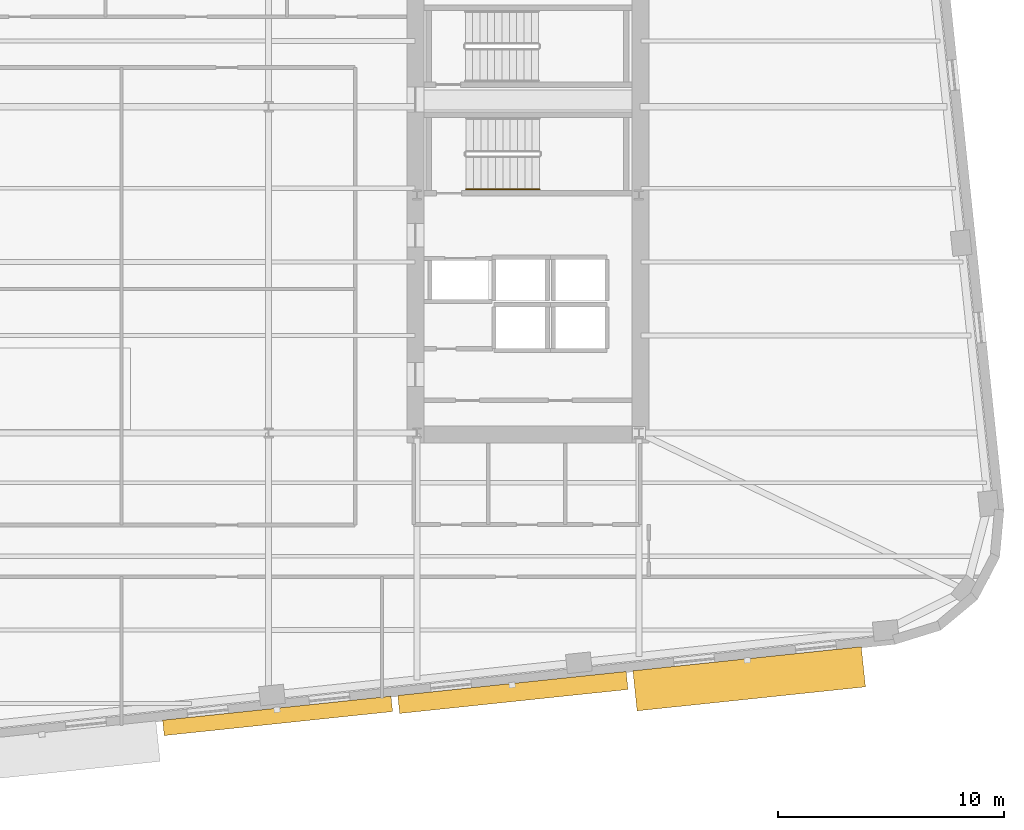
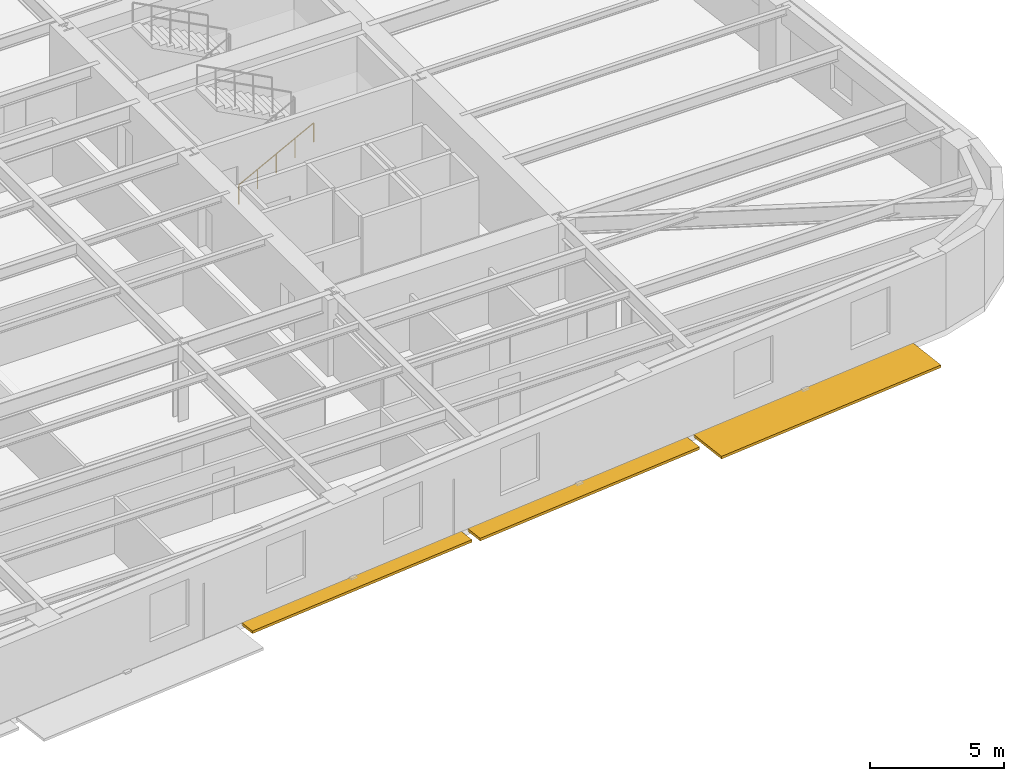
# One storey, part 9 of 11: 3 shading devices, 1 railing.
"""IFC4 building model written with IfcOpenShell, lengths in metres."""

from ifc_helpers import new_model, si_unit, direction, frame, origin, origin_2d, place, context, subcontext, project, spatial, rectangle, circle, extrude, material, type_object, element, save


model = new_model("IFC4")

# Units and contexts
model_context = context("Model", 3, precision=1e-05, world=origin(), true_north=direction((0.0, 1.0)))
body_context = subcontext(model_context, "Body", "Model", "MODEL_VIEW")
ifc_project = project(units=[si_unit("LENGTHUNIT", "METRE"), si_unit("AREAUNIT", "SQUARE_METRE"), si_unit("VOLUMEUNIT", "CUBIC_METRE"), si_unit("PLANEANGLEUNIT", "RADIAN"), si_unit("MASSUNIT", "GRAM", prefix="KILO")], contexts=[model_context])

# Site, building, storey
site_placement = place(None, origin())
site = spatial("IfcSite", under=ifc_project, at=site_placement, CompositionType="ELEMENT")
building_placement = place(site_placement, origin())
building = spatial("IfcBuilding", under=site, at=building_placement, Name="Kolvaren Arena Tower", CompositionType="ELEMENT")
storey_placement = place(building_placement, frame((0.0, 0.0, 134.5)))
storey = spatial("IfcBuildingStorey", under=building, at=storey_placement, Name="L31", CompositionType="ELEMENT", Elevation=134.5)

# Railing
ifc_material_1 = material(Name="Brushed stainless steel handrail", Category="steel")
railing_type = type_object("IfcRailingType", Name="HRAIL-900", PredefinedType="HANDRAIL", material=ifc_material_1)
railing_placement = place(storey_placement, frame((52.719970703125, 30.199951171875, 0.17041015625)))
element("IfcRailing", 1, at=railing_placement, inside=storey, type_object=railing_type, Name="L31 ST-E1 stair handrail 1", PredefinedType="HANDRAIL", context=body_context, shape_type="SweptSolid", body=[
    extrude(circle(Radius=0.02392578125, at=origin_2d()), frame((0.0, 0.0, 0.8759765625), z_axis=(0.884993431791, 0.0, 0.465603506952), x_axis=(0.0, 1.0, 0.0)), (0.0, 0.0, 1.0), 3.6611328125),
    extrude(circle(Radius=0.02099609375, at=origin_2d()), origin(), (0.0, 0.0, 1.0), 0.851806640625),
    extrude(circle(Radius=0.02099609375, at=origin_2d()), frame((0.81005859375, 0.0, 0.42626953125)), (0.0, 0.0, 1.0), 0.851806640625),
    extrude(circle(Radius=0.02099609375, at=origin_2d()), frame((1.6201171875, 0.0, 0.852294921875)), (0.0, 0.0, 1.0), 0.851806640625),
    extrude(circle(Radius=0.02099609375, at=origin_2d()), frame((2.429931640625, 0.0, 1.2783203125)), (0.0, 0.0, 1.0), 0.851806640625),
    extrude(circle(Radius=0.02099609375, at=origin_2d()), frame((3.239990234375, 0.0, 1.70458984375)), (0.0, 0.0, 1.0), 0.851806640625),
])

# Shading devices
ifc_material_2 = material(Name="Architectural precast GFRC and anodised aluminium sunshade", Category="concrete")
shading_device_type_1 = type_object("IfcShadingDeviceType", Name="SHAD-SINE-A", PredefinedType="USERDEFINED", material=ifc_material_2)
shading_device_1_placement = place(storey_placement, frame((54.783203125, 7.9853515625, -0.14013671875), z_axis=(0.0, 0.0, 1.0), x_axis=(-0.994522077803, -0.104526727499, 0.0)))
element("IfcShadingDevice", 2, at=shading_device_1_placement, inside=storey, type_object=shading_device_type_1, Name="Sinusoidal Slab-Edge Sunshade Louvre (L31)", ObjectType="LOUVRE", PredefinedType="USERDEFINED", context=body_context, shape_type="SweptSolid", body=[
    extrude(rectangle(XDim=10.139892578125, YDim=0.80029296875, at=origin_2d()), origin(), (0.0, 0.0, 1.0), 0.1201171875),
])
shading_device_2_placement = place(storey_placement, frame((44.394287109375, 6.951904296875, -0.14013671875), z_axis=(0.0, 0.0, 1.0), x_axis=(-0.994522077803, -0.104526727499, 0.0)))
element("IfcShadingDevice", 3, at=shading_device_2_placement, inside=storey, type_object=shading_device_type_1, Name="Sinusoidal Slab-Edge Sunshade Louvre (L31)", ObjectType="LOUVRE", PredefinedType="USERDEFINED", context=body_context, shape_type="SweptSolid", body=[
    extrude(rectangle(XDim=10.139892578125, YDim=0.68408203125, at=origin_2d()), origin(), (0.0, 0.0, 1.0), 0.1201171875),
])
shading_device_type_2 = type_object("IfcShadingDeviceType", Name="SHAD-SINE-B", PredefinedType="JALOUSIE", material=ifc_material_2)
shading_device_3_placement = place(storey_placement, frame((65.21728515625, 8.58837890625, -0.14013671875), z_axis=(0.0, 0.0, 1.0), x_axis=(-0.994522077803, -0.104526727499, 0.0)))
element("IfcShadingDevice", 4, at=shading_device_3_placement, inside=storey, type_object=shading_device_type_2, Name="Sinusoidal Slab-Edge Sunshade Louvre (L31)", PredefinedType="JALOUSIE", context=body_context, shape_type="SweptSolid", body=[
    extrude(rectangle(XDim=10.139892578125, YDim=1.781982421875, at=origin_2d()), origin(), (0.0, 0.0, 1.0), 0.1201171875),
])

save(model, "model.ifc")
